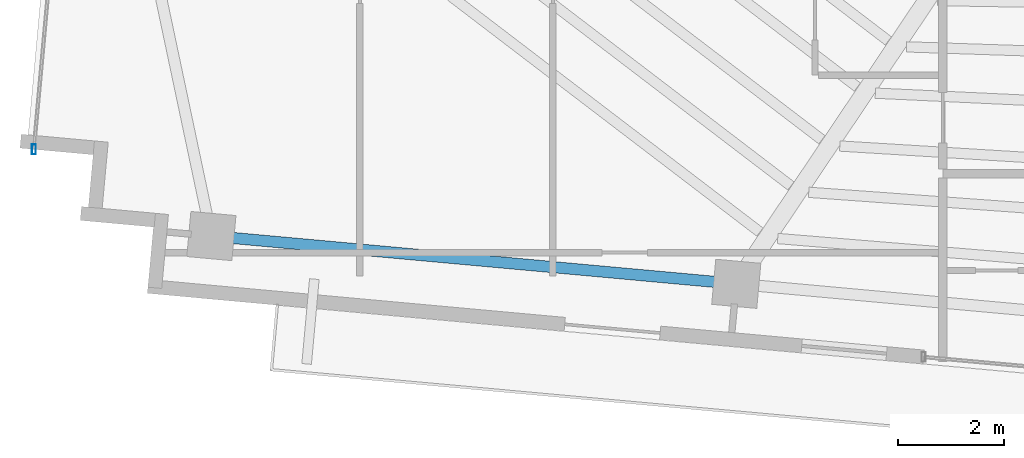
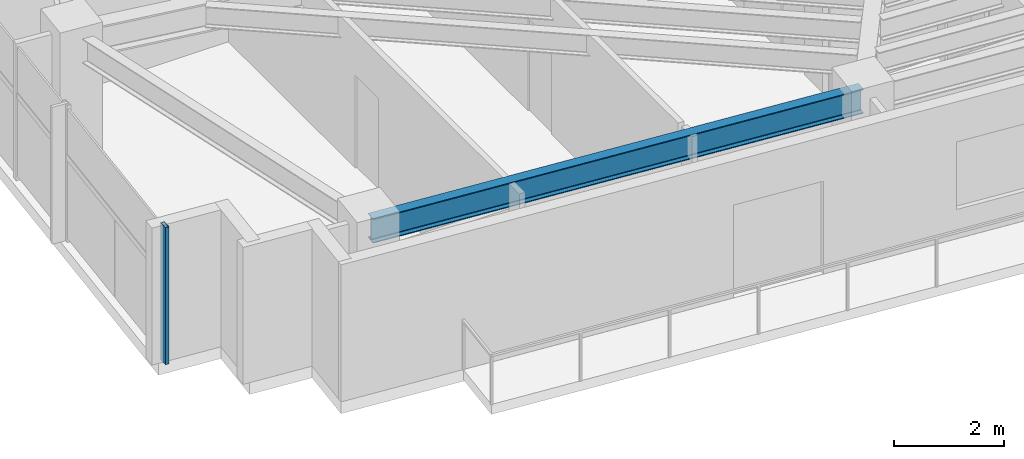
# One storey, part 2 of 22: 1 beam, 1 member, 1 element without a shape of its own.
"""IFC4 building model written with IfcOpenShell, lengths in metres."""

import ifcopenshell
import ifcopenshell.guid

model = None  # the IFC model being written
_history = None  # IfcOwnerHistory: only IFC2X3 demands one
_inside = {}  # id of a spatial element -> (the spatial element, [elements in it])
_under = {}  # id of a project, library or spatial element -> (it, [spatial elements below it])
_declared = {}  # id of a project -> (the project, [libraries it declares])
_typed = {}  # id of a type object -> (the type object, [elements of that type])
_made_of = {}  # id of a material, layer set ... -> (it, [elements and type objects made of it])


def new_model(schema):
    """Start an empty IFC model of exactly this schema.

    Asked for "IFC4X3", IfcOpenShell would pick the latest addendum, in which some entities
    have other attributes; the version numbers below select the first issue.
    IFC2X3 requires an IfcOwnerHistory on every rooted entity: one is made here for all.
    """
    global model, _history
    if schema == "IFC4X3":
        model = ifcopenshell.file(schema_version=(4, 3, 0, 0))
    else:
        model = ifcopenshell.file(schema=schema)
    _inside.clear()
    _under.clear()
    _declared.clear()
    _typed.clear()
    _made_of.clear()
    _history = None
    if model.schema == "IFC2X3":
        org = make("IfcOrganization", Name="unknown")
        user = make(
            "IfcPersonAndOrganization",
            ThePerson=make("IfcPerson", FamilyName="unknown"),
            TheOrganization=org,
        )
        app = make(
            "IfcApplication",
            ApplicationDeveloper=org,
            Version="unknown",
            ApplicationFullName="unknown",
            ApplicationIdentifier="unknown",
        )
        _history = make(
            "IfcOwnerHistory",
            OwningUser=user,
            OwningApplication=app,
            ChangeAction="ADDED",
            CreationDate=0,
        )
    return model


def make(cls, **values):
    """One entity of the class cls with the attributes given. An attribute that is None is left unset."""
    return model.create_entity(
        cls, **{name: value for name, value in values.items() if value is not None}
    )


def rooted(cls, **values):
    """An entity with a GlobalId (a new one), such as an element, a storey or a relation."""
    return make(cls, GlobalId=ifcopenshell.guid.new(), OwnerHistory=_history, **values)


def si_unit(unit_type, name, prefix=None):
    """IfcSIUnit, for example si_unit("LENGTHUNIT", "METRE", prefix="MILLI")."""
    return make("IfcSIUnit", UnitType=unit_type, Prefix=prefix, Name=name)


def assignment(units):
    """IfcUnitAssignment: the units of a project."""
    return None if units is None else make("IfcUnitAssignment", Units=units)


def point(xyz):
    """IfcCartesianPoint."""
    return None if xyz is None else make("IfcCartesianPoint", Coordinates=xyz)


def direction(xyz):
    """IfcDirection."""
    return None if xyz is None else make("IfcDirection", DirectionRatios=xyz)


def frame(location, z_axis=None, x_axis=None):
    """IfcAxis2Placement3D, a coordinate frame: its origin and axes. An axis left out is left unset."""
    return make(
        "IfcAxis2Placement3D",
        Location=point(location),
        Axis=direction(z_axis),
        RefDirection=direction(x_axis),
    )


def frame_2d(location, x_axis=None):
    """IfcAxis2Placement2D, a coordinate frame in the plane: its origin and x axis."""
    return make(
        "IfcAxis2Placement2D", Location=point(location), RefDirection=direction(x_axis)
    )


def origin():
    """The frame at (0, 0, 0) with its axes left unset."""
    return frame((0.0, 0.0, 0.0))


def origin_2d():
    """The frame at (0, 0) in the plane with its x axis left unset."""
    return frame_2d((0.0, 0.0))


def place(relative_to, where):
    """IfcLocalPlacement: puts the frame where relative to a parent placement (None: the world)."""
    return make(
        "IfcLocalPlacement", PlacementRelTo=relative_to, RelativePlacement=where
    )


def context(
    kind, dimensions, precision=None, world=None, true_north=None, identifier=None
):
    """IfcGeometricRepresentationContext, for example the 3D "Model" context."""
    return make(
        "IfcGeometricRepresentationContext",
        ContextIdentifier=identifier,
        ContextType=kind,
        CoordinateSpaceDimension=dimensions,
        Precision=precision,
        WorldCoordinateSystem=world,
        TrueNorth=true_north,
    )


def subcontext(parent, identifier, kind, view, scale=None):
    """IfcGeometricRepresentationSubContext, for example "Body" below "Model"."""
    return make(
        "IfcGeometricRepresentationSubContext",
        ContextIdentifier=identifier,
        ContextType=kind,
        ParentContext=parent,
        TargetScale=scale,
        TargetView=view,
    )


def project(units=None, contexts=None):
    """IfcProject with its units and contexts."""
    return rooted(
        "IfcProject",
        Name="project",
        RepresentationContexts=contexts,
        UnitsInContext=assignment(units),
    )


def spatial(cls, under=None, at=None, **own):
    """A site, building, storey or space (cls), placed at a placement, below another one or the project."""
    s = rooted(cls, ObjectPlacement=at, **own)
    if under is not None:
        _under.setdefault(under.id(), (under, []))[1].append(s)
    return s


def profile(cls, at=None, kind="AREA", **sizes):
    """A parametric profile (cls). Its sizes go by their IFC names, for example OverallWidth=200.0."""
    return make(cls, ProfileType=kind, Position=at, **sizes)


def hollow_rectangle(**sizes):
    """IfcRectangleHollowProfileDef."""
    return profile("IfcRectangleHollowProfileDef", **sizes)


def i_section(**sizes):
    """IfcIShapeProfileDef."""
    return profile("IfcIShapeProfileDef", **sizes)


def extrude(swept, where, along, depth):
    """IfcExtrudedAreaSolid: the profile swept, set in the frame where, extruded along a direction by depth."""
    return make(
        "IfcExtrudedAreaSolid",
        SweptArea=swept,
        Position=where,
        ExtrudedDirection=direction(along),
        Depth=depth,
    )


def shape(context_of_items, identifier, shape_type, items):
    """IfcShapeRepresentation: the items that make up one representation, for example the "Body"."""
    return make(
        "IfcShapeRepresentation",
        ContextOfItems=context_of_items,
        RepresentationIdentifier=identifier,
        RepresentationType=shape_type,
        Items=items,
    )


def source(mapping_origin, context_of_items, identifier, shape_type, items):
    """IfcRepresentationMap: a shape defined once, which mapped items show again and again."""
    return make(
        "IfcRepresentationMap",
        MappingOrigin=mapping_origin,
        MappedRepresentation=shape(context_of_items, identifier, shape_type, items),
    )


def transform(
    local_origin,
    x_axis=None,
    y_axis=None,
    z_axis=None,
    scale=None,
    scale2=None,
    scale3=None,
    uniform=True,
):
    """IfcCartesianTransformationOperator3D, or its non-uniform kind. x_axis, y_axis, z_axis: its Axis1, 2, 3."""
    if uniform:
        return make(
            "IfcCartesianTransformationOperator3D",
            Axis1=direction(x_axis),
            Axis2=direction(y_axis),
            LocalOrigin=point(local_origin),
            Scale=scale,
            Axis3=direction(z_axis),
        )
    return make(
        "IfcCartesianTransformationOperator3DnonUniform",
        Axis1=direction(x_axis),
        Axis2=direction(y_axis),
        LocalOrigin=point(local_origin),
        Scale=scale,
        Axis3=direction(z_axis),
        Scale2=scale2,
        Scale3=scale3,
    )


def mapped(mapping_source, mapping_target):
    """IfcMappedItem: shows the shape of a source again, moved by a transform."""
    return make(
        "IfcMappedItem", MappingSource=mapping_source, MappingTarget=mapping_target
    )


def material(Name=None, Category=None):
    """IfcMaterial."""
    return make("IfcMaterial", Name=Name, Category=Category)


def material_profile(
    of_material, cross_section, Name=None, Category=None, Priority=None
):
    """IfcMaterialProfile: a cross section and its material."""
    return make(
        "IfcMaterialProfile",
        Name=Name,
        Material=of_material,
        Profile=cross_section,
        Priority=Priority,
        Category=Category,
    )


def profile_set(profiles, Name=None, composite=None):
    """IfcMaterialProfileSet."""
    return make(
        "IfcMaterialProfileSet",
        Name=Name,
        MaterialProfiles=profiles,
        CompositeProfile=composite,
    )


def made_of(thing, what):
    """Note that an element or type object is made of a material, layer set ...; save() writes the relation."""
    if what is not None:
        _made_of.setdefault(what.id(), (what, []))[1].append(thing)
    return thing


def type_object(cls, material=None, **own):
    """A type object (cls), such as IfcWallType, which elements share."""
    return made_of(rooted(cls, **own), material)


def type_shapes(of_type, sources):
    """Give a type object the sources (RepresentationMaps) that its elements show as mapped items."""
    of_type.RepresentationMaps = sources


def element(
    cls,
    number,
    at=None,
    inside=None,
    cuts=None,
    type_object=None,
    material=None,
    context=None,
    identifier="Body",
    shape_type=None,
    held_by="IfcProductDefinitionShape",
    body=None,
    shapes=None,
    **own,
):
    """One element of the class cls, such as IfcWall. Its Tag is "e" and its number.

    at: its placement. inside: the storey or other place that contains it. cuts: it is an
    opening in that element (IfcRelVoidsElement). A single representation is given by context,
    identifier, shape_type and body (its items); several are given by shapes. held_by: the class
    of the entity that holds the representations. save() writes the other relations.
    """
    e = rooted(cls, Tag="e%d" % number, ObjectPlacement=at, **own)
    if body is not None:
        shapes = [shape(context, identifier, shape_type, body)]
    if shapes is not None:
        e.Representation = make(held_by, Representations=shapes)
    if inside is not None:
        _inside.setdefault(inside.id(), (inside, []))[1].append(e)
    if cuts is not None:
        rooted(
            "IfcRelVoidsElement", RelatingBuildingElement=cuts, RelatedOpeningElement=e
        )
    if type_object is not None:
        _typed.setdefault(type_object.id(), (type_object, []))[1].append(e)
    return made_of(e, material)


def aggregate(whole, parts):
    """IfcRelAggregates: a whole, such as a stair, and the parts it consists of."""
    return rooted("IfcRelAggregates", RelatingObject=whole, RelatedObjects=parts)


def save(model, path):
    """Write the relations noted so far, then the file.

    IfcRelAggregates (storeys below a building ...), IfcRelContainedInSpatialStructure (elements
    in a storey), IfcRelDefinesByType, IfcRelAssociatesMaterial and IfcRelDeclares: one each for
    every whole, place, type object, material and project.
    """
    for whole, parts in _under.values():
        aggregate(whole, parts)
    for where, things in _inside.values():
        rooted(
            "IfcRelContainedInSpatialStructure",
            RelatedElements=things,
            RelatingStructure=where,
        )
    for kind, things in _typed.values():
        rooted("IfcRelDefinesByType", RelatedObjects=things, RelatingType=kind)
    for what, things in _made_of.values():
        rooted("IfcRelAssociatesMaterial", RelatedObjects=things, RelatingMaterial=what)
    for by, libraries in _declared.values():
        rooted("IfcRelDeclares", RelatingContext=by, RelatedDefinitions=libraries)
    model.write(path)


model = new_model("IFC4")

# Units and contexts
model_context = context("Model", 3, precision=1e-05, world=origin(), true_north=direction((0.0, 1.0)))
body_context = subcontext(model_context, "Body", "Model", "MODEL_VIEW")
ifc_project = project(units=[si_unit("LENGTHUNIT", "METRE"), si_unit("AREAUNIT", "SQUARE_METRE"), si_unit("VOLUMEUNIT", "CUBIC_METRE"), si_unit("PLANEANGLEUNIT", "RADIAN"), si_unit("MASSUNIT", "GRAM", prefix="KILO")], contexts=[model_context])

# Site, building, storey
site_placement = place(None, origin())
site = spatial("IfcSite", under=ifc_project, at=site_placement, CompositionType="ELEMENT")
building_placement = place(site_placement, origin())
building = spatial("IfcBuilding", under=site, at=building_placement, Name="Astriad Promenade Condominiums", CompositionType="ELEMENT")
storey_placement = place(building_placement, frame((0.0, 0.0, 233.10009765625)))
storey = spatial("IfcBuildingStorey", under=building, at=storey_placement, Name="L67", CompositionType="ELEMENT", Elevation=233.10009765625)

# Beam
ifc_material_1 = material(Name="Steel ASTM A992 Grade 50", Category="steel")
ifc_material_profile_1 = material_profile(ifc_material_1, i_section(OverallWidth=0.210693359375, OverallDepth=0.53955078125, WebThickness=0.01171875, FlangeThickness=0.018798828125, FilletRadius=0.0166015625, at=origin_2d()), Name="W21X73")
ifc_profile_set_1 = profile_set([ifc_material_profile_1], Name="Steel ASTM A992 Grade 50")
beam_type = type_object("IfcBeamType", Name="STEEL SPANDREL BEAM W21X73", PredefinedType="SPANDREL", material=ifc_profile_set_1)
shared_shape_1 = source(origin(), body_context, "Body", "SweptSolid", [
    extrude(i_section(OverallWidth=0.210693359375, OverallDepth=0.53955078125, WebThickness=0.01171875, FlangeThickness=0.018798828125, FilletRadius=0.0166015625, at=origin_2d()), origin(), (0.0, 0.0, 1.0), 9.8203125),
])
type_shapes(beam_type, [shared_shape_1])
beam_placement = place(storey_placement, frame((12.421630859375, 12.102783203125, 2.77001953125), z_axis=(0.995883419264, -0.090643340822, 0.0), x_axis=(0.090643340822, 0.995883419264, 0.0)))
element("IfcBeam", 1, at=beam_placement, inside=storey, type_object=beam_type, Name="Perimeter Spandrel Beam SP-S1-L67", PredefinedType="SPANDREL", context=body_context, shape_type="MappedRepresentation", body=[
    mapped(shared_shape_1, transform((0.0, 0.0, 0.0), scale=1.0)),
])

# Curtain wall, member
ifc_material_2 = material(Name="Anodised aluminium Black Dark Glass Unitised", Category="aluminium")
curtain_wall_type = type_object("IfcCurtainWallType", Name="CW-B5-DARK", PredefinedType="USERDEFINED", material=ifc_material_2)
curtain_wall_placement = place(storey_placement, origin())
curtain_wall = element("IfcCurtainWall", 2, at=curtain_wall_placement, inside=storey, type_object=curtain_wall_type, Name="CW-L67-W", ObjectType="UNITISED_CURTAIN_WALL", PredefinedType="USERDEFINED")
ifc_material_3 = material(Name="Anodised aluminium 6063-T6 Black", Category="aluminium")
ifc_material_profile_2 = material_profile(ifc_material_3, hollow_rectangle(XDim=0.074951171875, YDim=0.18505859375, WallThickness=0.00439453125, at=origin_2d()), Name="ALU-MUL-75X185")
ifc_profile_set_2 = profile_set([ifc_material_profile_2], Name="Anodised aluminium 6063-T6 Black")
member_type = type_object("IfcMemberType", Name="MUL-ALU-MUL-75X185", PredefinedType="MULLION", material=ifc_profile_set_2)
shared_shape_2 = source(origin(), body_context, "Body", "SweptSolid", [
    extrude(hollow_rectangle(XDim=0.074951171875, YDim=0.18505859375, WallThickness=0.00439453125, at=origin_2d()), origin(), (0.0, 0.0, 1.0), 3.039794921875),
])
type_shapes(member_type, [shared_shape_2])
member_placement = place(storey_placement, frame((9.0458984375, 13.7353515625, 0.0), z_axis=(0.0, 0.0, 1.0), x_axis=(1.0, 0.0, 0.0)))
member = element("IfcMember", 3, at=member_placement, type_object=member_type, Name="CW-L67-W-MUL-00", PredefinedType="MULLION", context=body_context, shape_type="MappedRepresentation", body=[
    mapped(shared_shape_2, transform((0.0, 0.0, 0.0), scale=1.0)),
])
aggregate(curtain_wall, [member])

save(model, "model.ifc")
